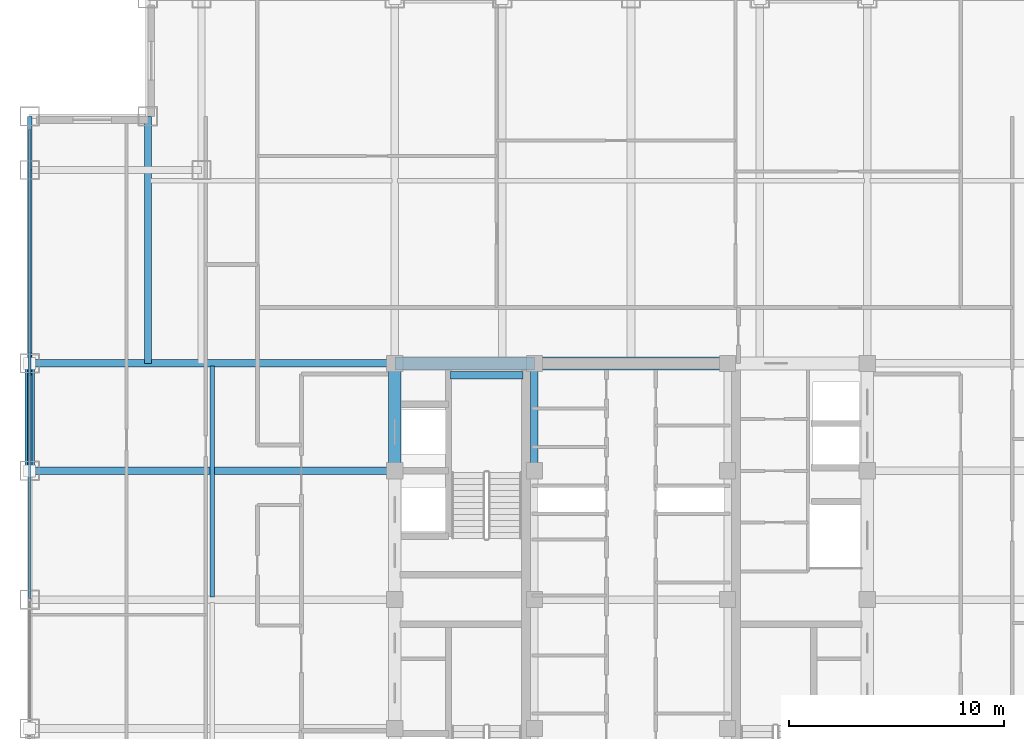
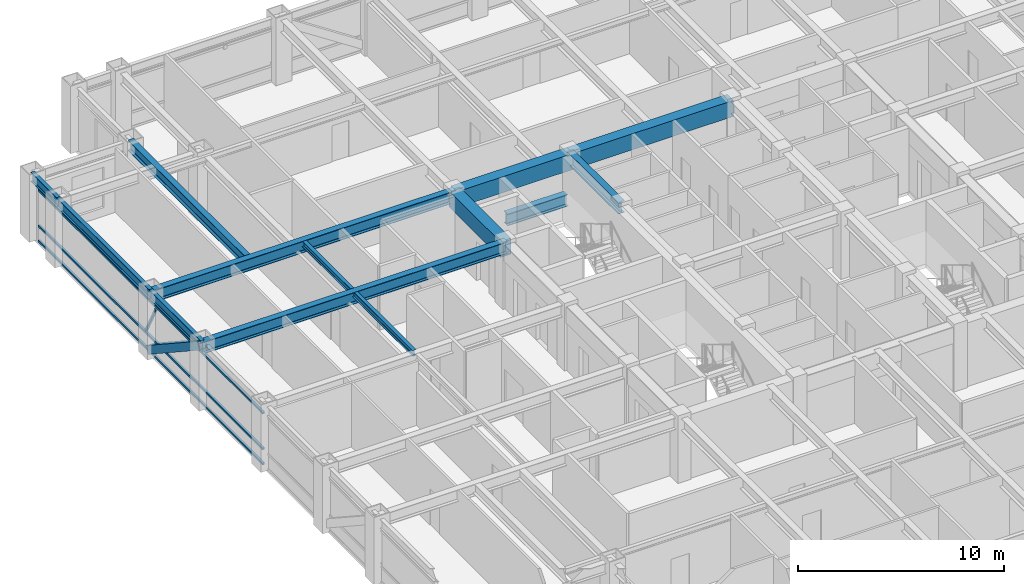
# One storey, part 11 of 29: 12 beams, 5 members, 1 element without a shape of its own.
"""IFC4 building model written with IfcOpenShell, lengths in metres."""

from ifc_helpers import new_model, si_unit, direction, frame, origin, origin_2d, place, context, subcontext, project, spatial, rectangle, hollow_rectangle, i_section, extrude, source, transform, mapped, material, material_profile, profile_set, type_object, element, aggregate, save


model = new_model("IFC4")

# Units and contexts
model_context = context("Model", 3, precision=1e-05, world=origin(), true_north=direction((0.0, 1.0)))
body_context = subcontext(model_context, "Body", "Model", "MODEL_VIEW")
ifc_project = project(units=[si_unit("LENGTHUNIT", "METRE"), si_unit("AREAUNIT", "SQUARE_METRE"), si_unit("VOLUMEUNIT", "CUBIC_METRE"), si_unit("PLANEANGLEUNIT", "RADIAN"), si_unit("MASSUNIT", "GRAM", prefix="KILO")], contexts=[model_context])

# Site, building, storey
site_placement = place(None, origin())
site = spatial("IfcSite", under=ifc_project, at=site_placement, CompositionType="ELEMENT")
building_placement = place(site_placement, origin())
building = spatial("IfcBuilding", under=site, at=building_placement, Name="Khorayat Bourse Tower", CompositionType="ELEMENT")
storey_placement = place(building_placement, frame((0.0, 0.0, 277.5)))
storey = spatial("IfcBuildingStorey", under=building, at=storey_placement, Name="L65", CompositionType="ELEMENT", Elevation=277.5)

# Beams
ifc_material_1 = material(Name="Steel ASTM A992 Grade 50", Category="steel")
ifc_material_profile_1 = material_profile(ifc_material_1, i_section(OverallWidth=0.35498046875, OverallDepth=0.695068359375, WebThickness=0.015380859375, FlangeThickness=0.02490234375, FilletRadius=0.01806640625, at=origin_2d()), Name="W690X217")
ifc_profile_set_1 = profile_set([ifc_material_profile_1], Name="Steel ASTM A992 Grade 50")
beam_type_1 = type_object("IfcBeamType", Name="BM-GIRD-690", PredefinedType="BEAM", material=ifc_profile_set_1)
shared_shape_1 = source(origin(), body_context, "Body", "SweptSolid", [
    extrude(i_section(OverallWidth=0.35498046875, OverallDepth=0.695068359375, WebThickness=0.015380859375, FlangeThickness=0.02490234375, FilletRadius=0.01806640625, at=origin_2d()), origin(), (0.0, 0.0, 1.0), 5.0),
])
beam_1_placement = place(storey_placement, frame((-4.5, 6.0, 3.4326171875), z_axis=(0.0, 1.0, 0.0), x_axis=(-1.0, 0.0, 0.0)))
element("IfcBeam", 1, at=beam_1_placement, inside=storey, type_object=beam_type_1, Name="L65 BM-GIRD-690 BM-L65-CRX-08", PredefinedType="BEAM", context=body_context, shape_type="MappedRepresentation", body=[
    mapped(shared_shape_1, transform((0.0, 0.0, 0.0), scale=1.0)),
])
shared_shape_2 = source(origin(), body_context, "Body", "SweptSolid", [
    extrude(i_section(OverallWidth=0.35498046875, OverallDepth=0.695068359375, WebThickness=0.015380859375, FlangeThickness=0.02490234375, FilletRadius=0.01806640625, at=origin_2d()), origin(), (0.0, 0.0, 1.0), 3.39990234375),
])
beam_2_placement = place(storey_placement, frame((-8.419921875, 10.449951171875, 1.452392578125), z_axis=(1.0, 0.0, 0.0), x_axis=(0.0, 1.0, 0.0)))
element("IfcBeam", 2, at=beam_2_placement, inside=storey, type_object=beam_type_1, Name="L65 BM-GIRD-690 BM-L65-ST2L", PredefinedType="BEAM", context=body_context, shape_type="MappedRepresentation", body=[
    mapped(shared_shape_2, transform((0.0, 0.0, 0.0), scale=1.0)),
])
ifc_material_2 = material(Name="Concrete C60/75", Category="concrete")
ifc_material_profile_2 = material_profile(ifc_material_2, rectangle(XDim=0.60009765625, YDim=0.949951171875, at=origin_2d()), Name="RC 600x950")
ifc_profile_set_2 = profile_set([ifc_material_profile_2], Name="Concrete C60/75")
beam_type_2 = type_object("IfcBeamType", Name="BM-COUP-950", PredefinedType="BEAM", material=ifc_profile_set_2)
shared_shape_3 = source(origin(), body_context, "Body", "SweptSolid", [
    extrude(rectangle(XDim=0.60009765625, YDim=0.949951171875, at=origin_2d()), origin(), (0.0, 0.0, 1.0), 5.0),
])
beam_3_placement = place(storey_placement, frame((-11.0, 6.0, 3.304931640625), z_axis=(0.0, 1.0, 0.0), x_axis=(-1.0, 0.0, 0.0)))
element("IfcBeam", 3, at=beam_3_placement, inside=storey, type_object=beam_type_2, Name="L65 BM-COUP-950 BM-L65-CRX-04", PredefinedType="BEAM", context=body_context, shape_type="MappedRepresentation", body=[
    mapped(shared_shape_3, transform((0.0, 0.0, 0.0), scale=1.0)),
])
shared_shape_4 = source(origin(), body_context, "Body", "SweptSolid", [
    extrude(rectangle(XDim=0.60009765625, YDim=0.949951171875, at=origin_2d()), origin(), (0.0, 0.0, 1.0), 6.5),
])
beam_4_placement = place(storey_placement, frame((-11.0, 11.0, 3.304931640625), z_axis=(1.0, 0.0, 0.0), x_axis=(0.0, 1.0, 0.0)))
element("IfcBeam", 4, at=beam_4_placement, inside=storey, type_object=beam_type_2, Name="L65 BM-COUP-950 BM-L65-CRY-20", PredefinedType="BEAM", context=body_context, shape_type="MappedRepresentation", body=[
    mapped(shared_shape_4, transform((0.0, 0.0, 0.0), scale=1.0)),
])
shared_shape_5 = source(origin(), body_context, "Body", "SweptSolid", [
    extrude(rectangle(XDim=0.60009765625, YDim=0.949951171875, at=origin_2d()), origin(), (0.0, 0.0, 1.0), 9.0),
])
beam_5_placement = place(storey_placement, frame((-4.5, 11.0, 3.304931640625), z_axis=(1.0, 0.0, 0.0), x_axis=(0.0, 1.0, 0.0)))
element("IfcBeam", 5, at=beam_5_placement, inside=storey, type_object=beam_type_2, Name="L65 BM-COUP-950 BM-L65-CRY-21", PredefinedType="BEAM", context=body_context, shape_type="MappedRepresentation", body=[
    mapped(shared_shape_5, transform((0.0, 0.0, 0.0), scale=1.0)),
])

# Member
ifc_material_3 = material(Name="Steel EN 10025-4 S460M", Category="steel")
ifc_material_profile_3 = material_profile(ifc_material_3, hollow_rectangle(XDim=0.449951171875, YDim=0.449951171875, WallThickness=0.02490234375, at=origin_2d()), Name="HSS 450x450x25")
ifc_profile_set_3 = profile_set([ifc_material_profile_3], Name="Steel EN 10025-4 S460M")
member_type_1 = type_object("IfcMemberType", Name="MBR-TUBE-450", PredefinedType="BRACE", material=ifc_profile_set_3)
shared_shape_6 = source(origin(), body_context, "Body", "SweptSolid", [
    extrude(hollow_rectangle(XDim=0.449951171875, YDim=0.449951171875, WallThickness=0.02490234375, at=origin_2d()), origin(), (0.0, 0.0, 1.0), 5.979736328125),
])
member_1_placement = place(storey_placement, frame((-28.0, 6.0, 3.530029296875), z_axis=(0.0, 0.836141536525, -0.548513747227), x_axis=(-1.0, 0.0, 0.0)))
element("IfcMember", 6, at=member_1_placement, inside=storey, type_object=member_type_1, Name="L65 Perimeter Tube Brace 06", PredefinedType="BRACE", context=body_context, shape_type="MappedRepresentation", body=[
    mapped(shared_shape_6, transform((0.0, 0.0, 0.0), scale=1.0)),
])

# Beams
shared_shape_7 = source(origin(), body_context, "Body", "SweptSolid", [
    extrude(i_section(OverallWidth=0.35498046875, OverallDepth=0.695068359375, WebThickness=0.015380859375, FlangeThickness=0.02490234375, FilletRadius=0.01806640625, at=origin_2d()), origin(), (0.0, 0.0, 1.0), 17.0),
])
for number, where, z_axis, x_axis, name in (
    (7, (-28.0, 6.0, 3.4326171875), (1.0, 0.0, 0.0), (0.0, 1.0, 0.0), "L65 BM-GIRD-690 BM-L65-RADX-081"),
    (8, (-28.0, 11.0, 3.4326171875), (1.0, 0.0, 0.0), (0.0, 1.0, 0.0), "L65 BM-GIRD-690 BM-L65-RADX-083"),
):
    element("IfcBeam", number, at=place(storey_placement, frame(where, z_axis=z_axis, x_axis=x_axis)), inside=storey, type_object=beam_type_1, Name=name, PredefinedType="BEAM", context=body_context, shape_type="MappedRepresentation", body=[
        mapped(shared_shape_7, transform((0.0, 0.0, 0.0), scale=1.0)),
    ])
ifc_material_profile_4 = material_profile(ifc_material_1, i_section(OverallWidth=0.324951171875, OverallDepth=0.615966796875, WebThickness=0.013916015625, FlangeThickness=0.021484375, FilletRadius=0.01611328125, at=origin_2d()), Name="W610X174")
ifc_profile_set_4 = profile_set([ifc_material_profile_4], Name="Steel ASTM A992 Grade 50")
beam_type_3 = type_object("IfcBeamType", Name="BM-GIRD-610", PredefinedType="BEAM", material=ifc_profile_set_4)
shared_shape_8 = source(origin(), body_context, "Body", "SweptSolid", [
    extrude(i_section(OverallWidth=0.324951171875, OverallDepth=0.615966796875, WebThickness=0.013916015625, FlangeThickness=0.021484375, FilletRadius=0.01611328125, at=origin_2d()), origin(), (0.0, 0.0, 1.0), 11.5),
])
beam_6_placement = place(storey_placement, frame((-22.5, 11.0, 3.471923828125), z_axis=(0.0, 1.0, 0.0), x_axis=(-1.0, 0.0, 0.0)))
element("IfcBeam", 9, at=beam_6_placement, inside=storey, type_object=beam_type_3, Name="L65 BM-GIRD-610 BM-L65-CNRY-089", PredefinedType="BEAM", context=body_context, shape_type="MappedRepresentation", body=[
    mapped(shared_shape_8, transform((0.0, 0.0, 0.0), scale=1.0)),
])
ifc_material_profile_5 = material_profile(ifc_material_1, i_section(OverallWidth=0.202880859375, OverallDepth=0.346923828125, WebThickness=0.0078125, FlangeThickness=0.013427734375, FilletRadius=0.010009765625, at=origin_2d()), Name="W360X64")
ifc_profile_set_5 = profile_set([ifc_material_profile_5], Name="Steel ASTM A992 Grade 50")
beam_type_4 = type_object("IfcBeamType", Name="BM-JOIST-360", PredefinedType="JOIST", material=ifc_profile_set_5)
shared_shape_9 = source(origin(), body_context, "Body", "SweptSolid", [
    extrude(i_section(OverallWidth=0.202880859375, OverallDepth=0.346923828125, WebThickness=0.0078125, FlangeThickness=0.013427734375, FilletRadius=0.010009765625, at=origin_2d()), origin(), (0.0, 0.0, 1.0), 10.740234375),
])
beam_7_placement = place(storey_placement, frame((-19.5, 0.1298828125, 3.6064453125), z_axis=(0.0, 1.0, 0.0), x_axis=(-1.0, 0.0, 0.0)))
element("IfcBeam", 10, at=beam_7_placement, inside=storey, type_object=beam_type_4, Name="L65 BM-JOIST-360 BM-L65-JSTY-103", PredefinedType="JOIST", context=body_context, shape_type="MappedRepresentation", body=[
    mapped(shared_shape_9, transform((0.0, 0.0, 0.0), scale=1.0)),
])
ifc_material_profile_6 = material_profile(ifc_material_1, i_section(OverallWidth=0.214111328125, OverallDepth=0.549072265625, WebThickness=0.0146484375, FlangeThickness=0.023681640625, FilletRadius=0.013916015625, at=origin_2d()), Name="W530X138")
ifc_profile_set_6 = profile_set([ifc_material_profile_6], Name="Steel ASTM A992 Grade 50")
beam_type_5 = type_object("IfcBeamType", Name="BM-SPAN-530", PredefinedType="SPANDREL", material=ifc_profile_set_6)
shared_shape_10 = source(origin(), body_context, "Body", "SweptSolid", [
    extrude(i_section(OverallWidth=0.214111328125, OverallDepth=0.549072265625, WebThickness=0.0146484375, FlangeThickness=0.023681640625, FilletRadius=0.013916015625, at=origin_2d()), origin(), (0.0, 0.0, 1.0), 2.5),
])
beam_8_placement = place(storey_placement, frame((-28.0, 20.0, 3.505615234375), z_axis=(0.0, 1.0, 0.0), x_axis=(-1.0, 0.0, 0.0)))
element("IfcBeam", 11, at=beam_8_placement, inside=storey, type_object=beam_type_5, Name="L65 BM-SPAN-530 BM-L65-SPN-054", PredefinedType="SPANDREL", context=body_context, shape_type="MappedRepresentation", body=[
    mapped(shared_shape_10, transform((0.0, 0.0, 0.0), scale=1.0)),
])
shared_shape_11 = source(origin(), body_context, "Body", "SweptSolid", [
    extrude(i_section(OverallWidth=0.214111328125, OverallDepth=0.549072265625, WebThickness=0.0146484375, FlangeThickness=0.023681640625, FilletRadius=0.013916015625, at=origin_2d()), origin(), (0.0, 0.0, 1.0), 9.0),
])
beam_9_placement = place(storey_placement, frame((-28.0, 11.0, 3.505615234375), z_axis=(0.0, 1.0, 0.0), x_axis=(-1.0, 0.0, 0.0)))
element("IfcBeam", 12, at=beam_9_placement, inside=storey, type_object=beam_type_5, Name="L65 BM-SPAN-530 BM-L65-SPN-055", PredefinedType="SPANDREL", context=body_context, shape_type="MappedRepresentation", body=[
    mapped(shared_shape_11, transform((0.0, 0.0, 0.0), scale=1.0)),
])
shared_shape_12 = source(origin(), body_context, "Body", "SweptSolid", [
    extrude(i_section(OverallWidth=0.214111328125, OverallDepth=0.549072265625, WebThickness=0.0146484375, FlangeThickness=0.023681640625, FilletRadius=0.013916015625, at=origin_2d()), origin(), (0.0, 0.0, 1.0), 5.0),
])
beam_10_placement = place(storey_placement, frame((-28.0, 6.0, 3.505615234375), z_axis=(0.0, 1.0, 0.0), x_axis=(-1.0, 0.0, 0.0)))
element("IfcBeam", 13, at=beam_10_placement, inside=storey, type_object=beam_type_5, Name="L65 BM-SPAN-530 BM-L65-SPN-056", PredefinedType="SPANDREL", context=body_context, shape_type="MappedRepresentation", body=[
    mapped(shared_shape_12, transform((0.0, 0.0, 0.0), scale=1.0)),
])

# Curtain wall, members
ifc_material_4 = material(Name="Aluminium EN AW-6063 T6", Category="aluminium")
curtain_wall_type = type_object("IfcCurtainWallType", Name="CW-SYS-04", PredefinedType="NOTDEFINED", material=ifc_material_4)
curtain_wall_placement = place(storey_placement, origin())
curtain_wall = element("IfcCurtainWall", 14, at=curtain_wall_placement, inside=storey, type_object=curtain_wall_type, Name="L65 Curtain Wall CW-L65-W1", PredefinedType="NOTDEFINED")
ifc_material_profile_7 = material_profile(ifc_material_4, hollow_rectangle(XDim=0.1201171875, YDim=0.1201171875, WallThickness=0.0048828125, at=origin_2d()), Name="ALU 120x120x5")
ifc_profile_set_7 = profile_set([ifc_material_profile_7], Name="Aluminium EN AW-6063 T6")
member_type_2 = type_object("IfcMemberType", Name="CWM-DIAG-120", PredefinedType="MULLION", material=ifc_profile_set_7)
shared_shape_13 = source(origin(), body_context, "Body", "SweptSolid", [
    extrude(hollow_rectangle(XDim=0.1201171875, YDim=0.1201171875, WallThickness=0.0048828125, at=origin_2d()), origin(), (0.0, 0.0, 1.0), 2.0791015625),
])
member_2_placement = place(storey_placement, frame((-28.0, 11.4541015625, 1.090087890625), z_axis=(0.0, -0.465717394116, 0.884933505309), x_axis=(1.0, 0.0, 0.0)))
member_2 = element("IfcMember", 15, at=member_2_placement, type_object=member_type_2, Name="CW-L65-W1 Faceted Diagonal Mullion 2", PredefinedType="MULLION", context=body_context, shape_type="MappedRepresentation", body=[
    mapped(shared_shape_13, transform((0.0, 0.0, 0.0), scale=1.0)),
])
ifc_material_profile_8 = material_profile(ifc_material_4, hollow_rectangle(XDim=0.1201171875, YDim=0.1201171875, WallThickness=0.0048828125, at=origin_2d()), Name="ALU 120x120x5")
ifc_profile_set_8 = profile_set([ifc_material_profile_8], Name="Aluminium EN AW-6063 T6")
member_type_3 = type_object("IfcMemberType", Name="CWT-HORZ-120", PredefinedType="USERDEFINED", material=ifc_profile_set_8)
shared_shape_14 = source(origin(), body_context, "Body", "SweptSolid", [
    extrude(hollow_rectangle(XDim=0.1201171875, YDim=0.1201171875, WallThickness=0.0048828125, at=origin_2d()), origin(), (0.0, 0.0, 1.0), 21.81982421875),
])
member_3_placement = place(storey_placement, frame((-28.0, 0.06005859375, 0.06005859375), z_axis=(0.0, 1.0, 0.0), x_axis=(-1.0, 0.0, 0.0)))
member_3 = element("IfcMember", 16, at=member_3_placement, type_object=member_type_3, Name="CW-L65-W1 Horizontal Transom 2-1", ObjectType="TRANSOM", PredefinedType="USERDEFINED", context=body_context, shape_type="MappedRepresentation", body=[
    mapped(shared_shape_14, transform((0.0, 0.0, 0.0), scale=1.0)),
])
member_4_placement = place(storey_placement, frame((-28.0, 0.06005859375, 0.949951171875), z_axis=(0.0, 1.0, 0.0), x_axis=(-1.0, 0.0, 0.0)))
member_4 = element("IfcMember", 17, at=member_4_placement, type_object=member_type_3, Name="CW-L65-W1 Horizontal Transom 2-2", ObjectType="TRANSOM", PredefinedType="USERDEFINED", context=body_context, shape_type="MappedRepresentation", body=[
    mapped(shared_shape_14, transform((0.0, 0.0, 0.0), scale=1.0)),
])
member_5_placement = place(storey_placement, frame((-28.0, 0.06005859375, 3.070068359375), z_axis=(0.0, 1.0, 0.0), x_axis=(-1.0, 0.0, 0.0)))
member_5 = element("IfcMember", 18, at=member_5_placement, type_object=member_type_3, Name="CW-L65-W1 Horizontal Transom 2-3", ObjectType="TRANSOM", PredefinedType="USERDEFINED", context=body_context, shape_type="MappedRepresentation", body=[
    mapped(shared_shape_14, transform((0.0, 0.0, 0.0), scale=1.0)),
])
aggregate(curtain_wall, [member_3, member_4, member_5, member_2])

save(model, "model.ifc")
